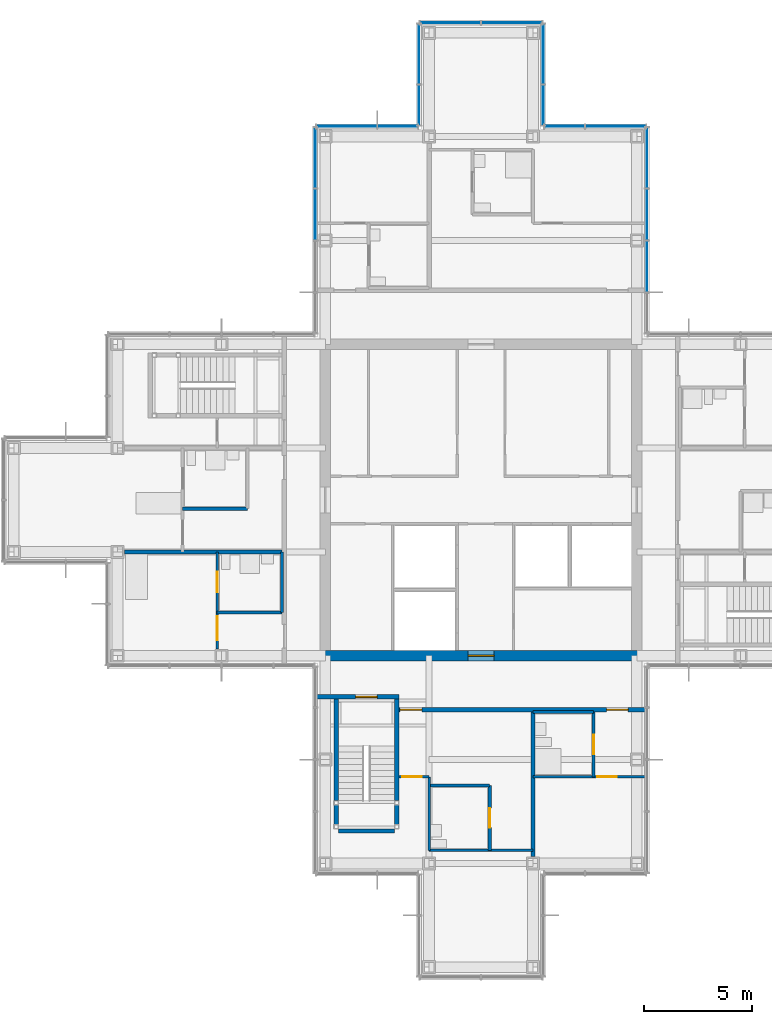
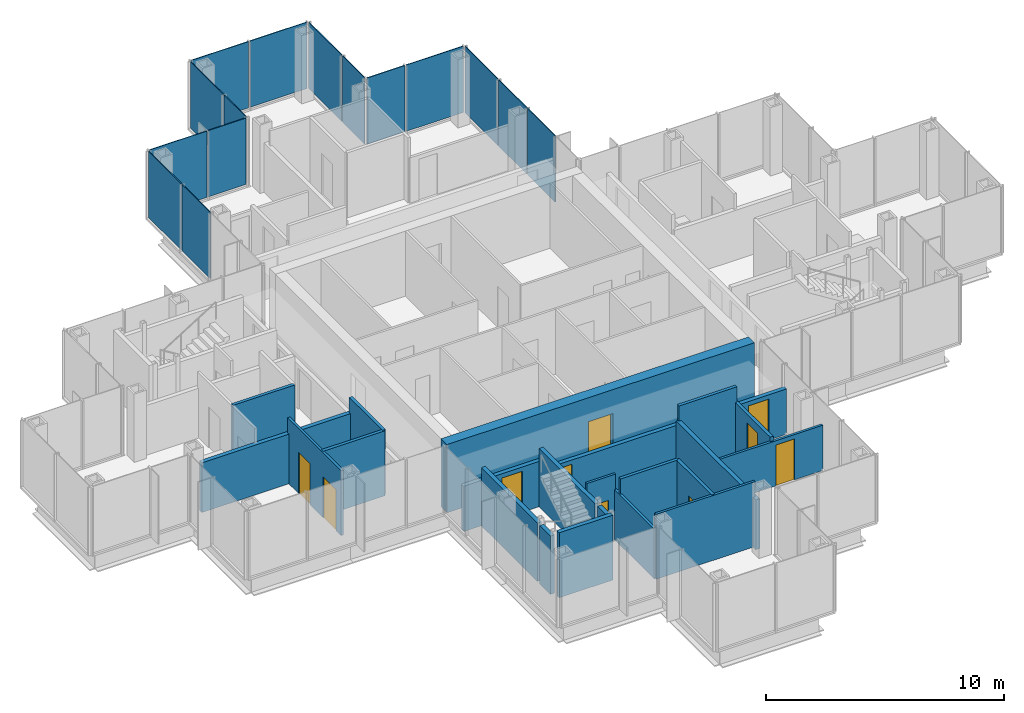
# One storey, part 11 of 17: 22 walls, 15 plates, 10 doors, 10 openings, 7 elements without a shape of their own.
"""IFC4 building model written with IfcOpenShell, lengths in metres."""

from ifc_helpers import new_model, si_unit, direction, frame, frame_2d, origin, origin_2d, place, context, subcontext, project, spatial, rectangle, extrude, material, layer, layer_set, type_object, element, fill, aggregate, save


model = new_model("IFC4")

# Units and contexts
model_context = context("Model", 3, precision=1e-05, world=origin(), true_north=direction((0.0, 1.0)))
body_context = subcontext(model_context, "Body", "Model", "MODEL_VIEW")
ifc_project = project(units=[si_unit("LENGTHUNIT", "METRE"), si_unit("AREAUNIT", "SQUARE_METRE"), si_unit("VOLUMEUNIT", "CUBIC_METRE"), si_unit("PLANEANGLEUNIT", "RADIAN"), si_unit("MASSUNIT", "GRAM", prefix="KILO")], contexts=[model_context])

# Site, building, storey
site_placement = place(None, origin())
site = spatial("IfcSite", under=ifc_project, at=site_placement, CompositionType="ELEMENT")
building_placement = place(site_placement, origin())
building = spatial("IfcBuilding", under=site, at=building_placement, Name="Kvirike Care Tower", CompositionType="ELEMENT")
storey_placement = place(building_placement, frame((0.0, 0.0, 172.5)))
storey = spatial("IfcBuildingStorey", under=building, at=storey_placement, Name="L47", CompositionType="ELEMENT", Elevation=172.5)

# Curtain wall, plates
ifc_material_1 = material(Name="Anodised aluminium stick system", Category="aluminium")
curtain_wall_type = type_object("IfcCurtainWallType", Name="CW-C STICK CURTAIN WALL", PredefinedType="NOTDEFINED", material=ifc_material_1)
curtain_wall_1_placement = place(storey_placement, origin())
curtain_wall_1 = element("IfcCurtainWall", 1, at=curtain_wall_1_placement, inside=storey, type_object=curtain_wall_type, Name="Curtain wall L47 face 8", PredefinedType="NOTDEFINED")
ifc_material_2 = material(Name="Tinted double glazed unit", Category="glass")
ifc_layer_1 = layer(ifc_material_2, 0.0400390625)
ifc_layer_set_1 = layer_set([ifc_layer_1], Name="TINTED VISION PANEL 40")
plate_type = type_object("IfcPlateType", Name="TINTED VISION PANEL 40", PredefinedType="CURTAIN_PANEL", material=ifc_layer_set_1)
plate_1_placement = place(storey_placement, frame((29.27001953125, 46.800048828125, 0.10009765625), z_axis=(0.0, 0.0, 1.0), x_axis=(0.0, 1.0, 0.0)))
plate_1 = element("IfcPlate", 2, at=plate_1_placement, type_object=plate_type, Name="CW-C panel L47 face 8.2", PredefinedType="CURTAIN_PANEL", context=body_context, shape_type="SweptSolid", body=[
    extrude(rectangle(XDim=2.3349609375, YDim=0.0400390625, at=origin_2d()), origin(), (0.0, 0.0, 1.0), 3.39990234375),
])
plate_2_placement = place(storey_placement, frame((29.27001953125, 49.199951171875, 0.10009765625), z_axis=(0.0, 0.0, 1.0), x_axis=(0.0, 1.0, 0.0)))
plate_2 = element("IfcPlate", 3, at=plate_2_placement, type_object=plate_type, Name="CW-C panel L47 face 8.3", PredefinedType="CURTAIN_PANEL", context=body_context, shape_type="SweptSolid", body=[
    extrude(rectangle(XDim=2.3349609375, YDim=0.0400390625, at=origin_2d()), origin(), (0.0, 0.0, 1.0), 3.39990234375),
])
plate_3_placement = place(storey_placement, frame((29.27001953125, 51.81884765625, 0.10009765625), z_axis=(0.0, 0.0, 1.0), x_axis=(0.0, 1.0, 0.0)))
plate_3 = element("IfcPlate", 4, at=plate_3_placement, type_object=plate_type, Name="CW-C panel L47 face 8.4", PredefinedType="CURTAIN_PANEL", context=body_context, shape_type="SweptSolid", body=[
    extrude(rectangle(XDim=2.7724609375, YDim=0.0400390625, at=origin_2d()), origin(), (0.0, 0.0, 1.0), 3.39990234375),
])
aggregate(curtain_wall_1, [plate_1, plate_2, plate_3])

curtain_wall_2_placement = place(storey_placement, origin())
curtain_wall_2 = element("IfcCurtainWall", 5, at=curtain_wall_2_placement, inside=storey, type_object=curtain_wall_type, Name="Curtain wall L47 face 9", PredefinedType="NOTDEFINED")
plate_4_placement = place(storey_placement, frame((27.81884765625, 53.27001953125, 0.10009765625), z_axis=(0.0, 0.0, 1.0), x_axis=(-1.0, 0.0, 0.0)))
plate_4 = element("IfcPlate", 6, at=plate_4_placement, type_object=plate_type, Name="CW-C panel L47 face 9.1", PredefinedType="CURTAIN_PANEL", context=body_context, shape_type="SweptSolid", body=[
    extrude(rectangle(XDim=2.7724609375, YDim=0.0400390625, at=origin_2d()), origin(), (0.0, 0.0, 1.0), 3.39990234375),
])
plate_5_placement = place(storey_placement, frame((25.451171875, 53.27001953125, 0.10009765625), z_axis=(0.0, 0.0, 1.0), x_axis=(-1.0, 0.0, 0.0)))
plate_5 = element("IfcPlate", 7, at=plate_5_placement, type_object=plate_type, Name="CW-C panel L47 face 9.2", PredefinedType="CURTAIN_PANEL", context=body_context, shape_type="SweptSolid", body=[
    extrude(rectangle(XDim=1.83251953125, YDim=0.0400390625, at=origin_2d()), origin(), (0.0, 0.0, 1.0), 3.39990234375),
])
aggregate(curtain_wall_2, [plate_4, plate_5])

curtain_wall_3_placement = place(storey_placement, origin())
curtain_wall_3 = element("IfcCurtainWall", 8, at=curtain_wall_3_placement, inside=storey, type_object=curtain_wall_type, Name="Curtain wall L47 face 10", PredefinedType="NOTDEFINED")
plate_6_placement = place(storey_placement, frame((24.469970703125, 54.251220703125, 0.10009765625), z_axis=(0.0, 0.0, 1.0), x_axis=(0.0, 1.0, 0.0)))
plate_6 = element("IfcPlate", 9, at=plate_6_placement, type_object=plate_type, Name="CW-C panel L47 face 10.1", PredefinedType="CURTAIN_PANEL", context=body_context, shape_type="SweptSolid", body=[
    extrude(rectangle(XDim=1.83251953125, YDim=0.0400390625, at=origin_2d()), origin(), (0.0, 0.0, 1.0), 3.39990234375),
])
plate_7_placement = place(storey_placement, frame((24.469970703125, 56.61865234375, 0.10009765625), z_axis=(0.0, 0.0, 1.0), x_axis=(0.0, 1.0, 0.0)))
plate_7 = element("IfcPlate", 10, at=plate_7_placement, type_object=plate_type, Name="CW-C panel L47 face 10.2", PredefinedType="CURTAIN_PANEL", context=body_context, shape_type="SweptSolid", body=[
    extrude(rectangle(XDim=2.7724609375, YDim=0.0400390625, at=origin_2d()), origin(), (0.0, 0.0, 1.0), 3.39990234375),
])
aggregate(curtain_wall_3, [plate_6, plate_7])

curtain_wall_4_placement = place(storey_placement, origin())
curtain_wall_4 = element("IfcCurtainWall", 11, at=curtain_wall_4_placement, inside=storey, type_object=curtain_wall_type, Name="Curtain wall L47 face 11", PredefinedType="NOTDEFINED")
plate_8_placement = place(storey_placement, frame((23.018798828125, 58.070068359375, 0.10009765625), z_axis=(0.0, 0.0, 1.0), x_axis=(-1.0, 0.0, 0.0)))
plate_8 = element("IfcPlate", 12, at=plate_8_placement, type_object=plate_type, Name="CW-C panel L47 face 11.1", PredefinedType="CURTAIN_PANEL", context=body_context, shape_type="SweptSolid", body=[
    extrude(rectangle(XDim=2.7724609375, YDim=0.0400390625, at=origin_2d()), origin(), (0.0, 0.0, 1.0), 3.39990234375),
])
plate_9_placement = place(storey_placement, frame((20.18115234375, 58.070068359375, 0.10009765625), z_axis=(0.0, 0.0, 1.0), x_axis=(-1.0, 0.0, 0.0)))
plate_9 = element("IfcPlate", 13, at=plate_9_placement, type_object=plate_type, Name="CW-C panel L47 face 11.2", PredefinedType="CURTAIN_PANEL", context=body_context, shape_type="SweptSolid", body=[
    extrude(rectangle(XDim=2.7724609375, YDim=0.0400390625, at=origin_2d()), origin(), (0.0, 0.0, 1.0), 3.39990234375),
])
aggregate(curtain_wall_4, [plate_8, plate_9])

curtain_wall_5_placement = place(storey_placement, origin())
curtain_wall_5 = element("IfcCurtainWall", 14, at=curtain_wall_5_placement, inside=storey, type_object=curtain_wall_type, Name="Curtain wall L47 face 12", PredefinedType="NOTDEFINED")
plate_10_placement = place(storey_placement, frame((18.72998046875, 56.61865234375, 0.10009765625), z_axis=(0.0, 0.0, 1.0), x_axis=(0.0, -1.0, 0.0)))
plate_10 = element("IfcPlate", 15, at=plate_10_placement, type_object=plate_type, Name="CW-C panel L47 face 12.1", PredefinedType="CURTAIN_PANEL", context=body_context, shape_type="SweptSolid", body=[
    extrude(rectangle(XDim=2.7724609375, YDim=0.0400390625, at=origin_2d()), origin(), (0.0, 0.0, 1.0), 3.39990234375),
])
plate_11_placement = place(storey_placement, frame((18.72998046875, 54.251220703125, 0.10009765625), z_axis=(0.0, 0.0, 1.0), x_axis=(0.0, -1.0, 0.0)))
plate_11 = element("IfcPlate", 16, at=plate_11_placement, type_object=plate_type, Name="CW-C panel L47 face 12.2", PredefinedType="CURTAIN_PANEL", context=body_context, shape_type="SweptSolid", body=[
    extrude(rectangle(XDim=1.83251953125, YDim=0.0400390625, at=origin_2d()), origin(), (0.0, 0.0, 1.0), 3.39990234375),
])
aggregate(curtain_wall_5, [plate_10, plate_11])

curtain_wall_6_placement = place(storey_placement, origin())
curtain_wall_6 = element("IfcCurtainWall", 17, at=curtain_wall_6_placement, inside=storey, type_object=curtain_wall_type, Name="Curtain wall L47 face 13", PredefinedType="NOTDEFINED")
plate_12_placement = place(storey_placement, frame((17.748779296875, 53.27001953125, 0.10009765625), z_axis=(0.0, 0.0, 1.0), x_axis=(-1.0, 0.0, 0.0)))
plate_12 = element("IfcPlate", 18, at=plate_12_placement, type_object=plate_type, Name="CW-C panel L47 face 13.1", PredefinedType="CURTAIN_PANEL", context=body_context, shape_type="SweptSolid", body=[
    extrude(rectangle(XDim=1.83251953125, YDim=0.0400390625, at=origin_2d()), origin(), (0.0, 0.0, 1.0), 3.39990234375),
])
plate_13_placement = place(storey_placement, frame((15.38134765625, 53.27001953125, 0.10009765625), z_axis=(0.0, 0.0, 1.0), x_axis=(-1.0, 0.0, 0.0)))
plate_13 = element("IfcPlate", 19, at=plate_13_placement, type_object=plate_type, Name="CW-C panel L47 face 13.2", PredefinedType="CURTAIN_PANEL", context=body_context, shape_type="SweptSolid", body=[
    extrude(rectangle(XDim=2.7724609375, YDim=0.0400390625, at=origin_2d()), origin(), (0.0, 0.0, 1.0), 3.39990234375),
])
aggregate(curtain_wall_6, [plate_12, plate_13])

curtain_wall_7_placement = place(storey_placement, origin())
curtain_wall_7 = element("IfcCurtainWall", 20, at=curtain_wall_7_placement, inside=storey, type_object=curtain_wall_type, Name="Curtain wall L47 face 14", PredefinedType="NOTDEFINED")
plate_14_placement = place(storey_placement, frame((13.929931640625, 51.81884765625, 0.10009765625), z_axis=(0.0, 0.0, 1.0), x_axis=(0.0, -1.0, 0.0)))
plate_14 = element("IfcPlate", 21, at=plate_14_placement, type_object=plate_type, Name="CW-C panel L47 face 14.1", PredefinedType="CURTAIN_PANEL", context=body_context, shape_type="SweptSolid", body=[
    extrude(rectangle(XDim=2.7724609375, YDim=0.0400390625, at=origin_2d()), origin(), (0.0, 0.0, 1.0), 3.39990234375),
])
plate_15_placement = place(storey_placement, frame((13.929931640625, 49.199951171875, 0.10009765625), z_axis=(0.0, 0.0, 1.0), x_axis=(0.0, -1.0, 0.0)))
plate_15 = element("IfcPlate", 22, at=plate_15_placement, type_object=plate_type, Name="CW-C panel L47 face 14.2", PredefinedType="CURTAIN_PANEL", context=body_context, shape_type="SweptSolid", body=[
    extrude(rectangle(XDim=2.3349609375, YDim=0.0400390625, at=origin_2d()), origin(), (0.0, 0.0, 1.0), 3.39990234375),
])
aggregate(curtain_wall_7, [plate_14, plate_15])

# Walls
ifc_material_3 = material(Name="Moisture-resistant board partition", Category="gypsum")
ifc_layer_2 = layer(ifc_material_3, 0.14990234375)
ifc_layer_set_2 = layer_set([ifc_layer_2], Name="BATHROOM WALL 150")
wall_type_1 = type_object("IfcWallType", Name="BATHROOM WALL 150", PredefinedType="PARTITIONING", material=ifc_layer_set_2)
for number, where, z_axis, x_axis, name in (
    (23, (7.800048828125, 35.60009765625, 0.0), (0.0, 0.0, 1.0), (1.0, 0.0, 0.0), "Bathroom Wall 150 L47"),
    (24, (9.39990234375, 30.800048828125, 0.0), (0.0, 0.0, 1.0), (1.0, 0.0, 0.0), "Bathroom Wall 150 L47"),
):
    element("IfcWall", number, at=place(storey_placement, frame(where, z_axis=z_axis, x_axis=x_axis)), inside=storey, type_object=wall_type_1, Name=name, PredefinedType="PARTITIONING", context=body_context, shape_type="SweptSolid", body=[
        extrude(rectangle(XDim=3.0, YDim=0.14990234375, at=frame_2d((1.5, 0.0))), origin(), (0.0, 0.0, 1.0), 3.330078125),
    ])
wall_1_placement = place(storey_placement, frame((12.39990234375, 33.60009765625, 0.0), z_axis=(0.0, 0.0, 1.0), x_axis=(0.0, -1.0, 0.0)))
element("IfcWall", 25, at=wall_1_placement, inside=storey, type_object=wall_type_1, Name="Bathroom Wall 150 L47", PredefinedType="PARTITIONING", context=body_context, shape_type="SweptSolid", body=[
    extrude(rectangle(XDim=2.800048828125, YDim=0.14990234375, at=frame_2d((1.39990234375, 0.0))), origin(), (0.0, 0.0, 1.0), 3.330078125),
])

# Wall, opening, door
wall_2_placement = place(storey_placement, frame((22.0, 19.800048828125, 0.0), z_axis=(0.0, 0.0, 1.0), x_axis=(0.0, 1.0, 0.0)))
wall_2 = element("IfcWall", 26, at=wall_2_placement, inside=storey, type_object=wall_type_1, Name="Bathroom Wall 150 L47", PredefinedType="PARTITIONING", context=body_context, shape_type="SweptSolid", body=[
    extrude(rectangle(XDim=3.0, YDim=0.14990234375, at=frame_2d((1.5, 0.0))), origin(), (0.0, 0.0, 1.0), 3.330078125),
])
opening_1_placement = place(wall_2_placement, frame((1.050048828125, 0.0, 0.0)))
opening_1 = element("IfcOpeningElement", 27, at=opening_1_placement, cuts=wall_2, Name="Opening 47-011", PredefinedType="OPENING", context=body_context, shape_type="SweptSolid", body=[
    extrude(rectangle(XDim=0.89990234375, YDim=2.10009765625, at=frame_2d((0.449951171875, 1.050048828125))), frame((0.0, 0.08544921875, 0.0), z_axis=(0.0, -1.0, 0.0), x_axis=(1.0, 0.0, 0.0)), (0.0, 0.0, 1.0), 0.1708984375),
])
ifc_material_4 = material(Name="Timber door set", Category="wood")
door_type_1 = type_object("IfcDoorType", Name="BATHROOM DOOR 900", OperationType="SINGLE_SWING_RIGHT", PredefinedType="DOOR", material=ifc_material_4)
door_1_placement = place(opening_1_placement, origin())
door_1 = element("IfcDoor", 28, at=door_1_placement, inside=storey, type_object=door_type_1, Name="Accessible WC door", OperationType="SINGLE_SWING_RIGHT", OverallHeight=2.10009765625, OverallWidth=0.89990234375, PredefinedType="DOOR", context=body_context, shape_type="SweptSolid", body=[
    extrude(rectangle(XDim=0.89990234375, YDim=2.10009765625, at=frame_2d((0.449951171875, 1.050048828125))), frame((0.0, 0.02197265625, 0.0), z_axis=(0.0, -1.0, 0.0), x_axis=(1.0, 0.0, 0.0)), (0.0, 0.0, 1.0), 0.0439453125),
])
fill(opening_1, door_1)

# Wall
wall_3_placement = place(storey_placement, frame((19.199951171875, 22.800048828125, 0.0), z_axis=(0.0, 0.0, 1.0), x_axis=(1.0, 0.0, 0.0)))
element("IfcWall", 29, at=wall_3_placement, inside=storey, type_object=wall_type_1, Name="Bathroom Wall 150 L47", PredefinedType="PARTITIONING", context=body_context, shape_type="SweptSolid", body=[
    extrude(rectangle(XDim=2.800048828125, YDim=0.14990234375, at=frame_2d((1.39990234375, 0.0))), origin(), (0.0, 0.0, 1.0), 3.330078125),
])

# Wall, opening, door
wall_4_placement = place(storey_placement, frame((26.800048828125, 23.199951171875, 0.0), z_axis=(0.0, 0.0, 1.0), x_axis=(0.0, 1.0, 0.0)))
wall_4 = element("IfcWall", 30, at=wall_4_placement, inside=storey, type_object=wall_type_1, Name="Bathroom Wall 150 L47", PredefinedType="PARTITIONING", context=body_context, shape_type="SweptSolid", body=[
    extrude(rectangle(XDim=3.0, YDim=0.14990234375, at=frame_2d((1.5, 0.0))), origin(), (0.0, 0.0, 1.0), 2.550048828125),
])
opening_2_placement = place(wall_4_placement, frame((1.050048828125, 0.0, 0.0)))
opening_2 = element("IfcOpeningElement", 31, at=opening_2_placement, cuts=wall_4, Name="Opening 47-013", PredefinedType="OPENING", context=body_context, shape_type="SweptSolid", body=[
    extrude(rectangle(XDim=0.89990234375, YDim=2.10009765625, at=frame_2d((0.449951171875, 1.050048828125))), frame((0.0, 0.08544921875, 0.0), z_axis=(0.0, -1.0, 0.0), x_axis=(1.0, 0.0, 0.0)), (0.0, 0.0, 1.0), 0.1708984375),
])
door_2_placement = place(opening_2_placement, frame((0.89990234375, 0.0, 0.0), z_axis=(0.0, 0.0, 1.0), x_axis=(-1.0, 0.0, 0.0)))
door_2 = element("IfcDoor", 32, at=door_2_placement, inside=storey, type_object=door_type_1, Name="Assisted bathroom door", OperationType="SINGLE_SWING_LEFT", OverallHeight=2.10009765625, OverallWidth=0.89990234375, PredefinedType="DOOR", context=body_context, shape_type="SweptSolid", body=[
    extrude(rectangle(XDim=0.89990234375, YDim=2.10009765625, at=frame_2d((0.449951171875, 1.050048828125))), frame((0.0, 0.02197265625, 0.0), z_axis=(0.0, -1.0, 0.0), x_axis=(1.0, 0.0, 0.0)), (0.0, 0.0, 1.0), 0.0439453125),
])
fill(opening_2, door_2)

# Wall
wall_5_placement = place(storey_placement, frame((24.0, 26.199951171875, 0.0), z_axis=(0.0, 0.0, 1.0), x_axis=(1.0, 0.0, 0.0)))
element("IfcWall", 33, at=wall_5_placement, inside=storey, type_object=wall_type_1, Name="Bathroom Wall 150 L47", PredefinedType="PARTITIONING", context=body_context, shape_type="SweptSolid", body=[
    extrude(rectangle(XDim=2.800048828125, YDim=0.14990234375, at=frame_2d((1.39990234375, 0.0))), origin(), (0.0, 0.0, 1.0), 3.330078125),
])

# Wall, opening, door
ifc_material_5 = material(Name="Concrete C45/55", Category="concrete")
ifc_layer_3 = layer(ifc_material_5, 0.5)
ifc_layer_set_3 = layer_set([ifc_layer_3], Name="CORE WALL 500 C45-55")
wall_type_2 = type_object("IfcWallType", Name="CORE WALL 500 C45-55", PredefinedType="SHEAR", material=ifc_layer_set_3)
wall_6_placement = place(storey_placement, frame((14.14990234375, 28.800048828125, -0.169921875), z_axis=(0.0, 0.0, 1.0), x_axis=(1.0, 0.0, 0.0)))
wall_6 = element("IfcWall", 34, at=wall_6_placement, inside=storey, type_object=wall_type_2, Name="Core wall S L47", PredefinedType="SHEAR", context=body_context, shape_type="SweptSolid", body=[
    extrude(rectangle(XDim=14.900146484375, YDim=0.5, at=frame_2d((7.4501953125, 0.0))), origin(), (0.0, 0.0, 1.0), 3.5),
])
opening_3_placement = place(wall_6_placement, frame((6.85009765625, 0.0, 0.169921875)))
opening_3 = element("IfcOpeningElement", 35, at=opening_3_placement, cuts=wall_6, Name="Opening 47-045", PredefinedType="OPENING", context=body_context, shape_type="SweptSolid", body=[
    extrude(rectangle(XDim=1.199951171875, YDim=2.10009765625, at=frame_2d((0.60009765625, 1.050048828125))), frame((0.0, 0.260498046875, 0.0), z_axis=(0.0, -1.0, 0.0), x_axis=(1.0, 0.0, 0.0)), (0.0, 0.0, 1.0), 0.52099609375),
])
ifc_material_6 = material(Name="Timber door set", Category="wood")
door_type_2 = type_object("IfcDoorType", Name="CORE DOOR 1200", OperationType="SINGLE_SWING_LEFT", PredefinedType="DOOR", material=ifc_material_6)
door_3_placement = place(opening_3_placement, origin())
door_3 = element("IfcDoor", 36, at=door_3_placement, inside=storey, type_object=door_type_2, Name="Core door S L47", OperationType="SINGLE_SWING_LEFT", OverallHeight=2.10009765625, OverallWidth=1.199951171875, PredefinedType="DOOR", context=body_context, shape_type="SweptSolid", body=[
    extrude(rectangle(XDim=1.199951171875, YDim=2.10009765625, at=frame_2d((0.60009765625, 1.050048828125))), frame((0.0, 0.02685546875, 0.0), z_axis=(0.0, -1.0, 0.0), x_axis=(1.0, 0.0, 0.0)), (0.0, 0.0, 1.0), 0.053955078125),
])
fill(opening_3, door_3)

# Wall, openings, doors
ifc_material_7 = material(Name="Plasterboard corridor wall", Category="gypsum")
ifc_layer_4 = layer(ifc_material_7, 0.199951171875)
ifc_layer_set_4 = layer_set([ifc_layer_4], Name="CORRIDOR WALL 200")
wall_type_3 = type_object("IfcWallType", Name="CORRIDOR WALL 200", PredefinedType="PARTITIONING", material=ifc_layer_set_4)
wall_7_placement = place(storey_placement, frame((17.800048828125, 26.300048828125, 0.0), z_axis=(0.0, 0.0, 1.0), x_axis=(1.0, 0.0, 0.0)))
wall_7 = element("IfcWall", 37, at=wall_7_placement, inside=storey, type_object=wall_type_3, Name="Corridor Wall 200 L47", PredefinedType="PARTITIONING", context=body_context, shape_type="SweptSolid", body=[
    extrude(rectangle(XDim=11.449951171875, YDim=0.199951171875, at=frame_2d((5.72509765625, 0.0))), origin(), (0.0, 0.0, 1.0), 2.320068359375),
])
opening_4_placement = place(wall_7_placement, frame((0.06005859375, 0.0, 0.0)))
opening_4 = element("IfcOpeningElement", 38, at=opening_4_placement, cuts=wall_7, Name="Opening 47-015", PredefinedType="OPENING", context=body_context, shape_type="SweptSolid", body=[
    extrude(rectangle(XDim=1.0, YDim=2.10009765625, at=frame_2d((0.5, 1.050048828125))), frame((0.0, 0.110595703125, 0.0), z_axis=(0.0, -1.0, 0.0), x_axis=(1.0, 0.0, 0.0)), (0.0, 0.0, 1.0), 0.220947265625),
])
opening_5_placement = place(wall_7_placement, frame((9.60009765625, 0.0, 0.0)))
opening_5 = element("IfcOpeningElement", 39, at=opening_5_placement, cuts=wall_7, Name="Opening 47-016", PredefinedType="OPENING", context=body_context, shape_type="SweptSolid", body=[
    extrude(rectangle(XDim=1.0, YDim=2.10009765625, at=frame_2d((0.5, 1.050048828125))), frame((0.0, 0.110595703125, 0.0), z_axis=(0.0, -1.0, 0.0), x_axis=(1.0, 0.0, 0.0)), (0.0, 0.0, 1.0), 0.220947265625),
])
ifc_material_8 = material(Name="Timber door set", Category="wood")
door_type_3 = type_object("IfcDoorType", Name="FLAT ENTRANCE DOOR 1000", OperationType="SINGLE_SWING_LEFT", PredefinedType="DOOR", material=ifc_material_8)
door_4_placement = place(opening_4_placement, frame((1.0, 0.0, 0.0), z_axis=(0.0, 0.0, 1.0), x_axis=(-1.0, 0.0, 0.0)))
door_4 = element("IfcDoor", 40, at=door_4_placement, inside=storey, type_object=door_type_3, Name="Hobby room entrance", OperationType="SINGLE_SWING_LEFT", OverallHeight=2.10009765625, OverallWidth=1.0, PredefinedType="DOOR", context=body_context, shape_type="SweptSolid", body=[
    extrude(rectangle(XDim=1.0, YDim=2.10009765625, at=frame_2d((0.5, 1.050048828125))), frame((0.0, 0.02685546875, 0.0), z_axis=(0.0, -1.0, 0.0), x_axis=(1.0, 0.0, 0.0)), (0.0, 0.0, 1.0), 0.053955078125),
])
fill(opening_4, door_4)
door_5_placement = place(opening_5_placement, frame((1.0, 0.0, 0.0), z_axis=(0.0, 0.0, 1.0), x_axis=(-1.0, 0.0, 0.0)))
door_5 = element("IfcDoor", 41, at=door_5_placement, inside=storey, type_object=door_type_3, Name="Care base entrance", OperationType="SINGLE_SWING_RIGHT", OverallHeight=2.10009765625, OverallWidth=1.0, PredefinedType="DOOR", context=body_context, shape_type="SweptSolid", body=[
    extrude(rectangle(XDim=1.0, YDim=2.10009765625, at=frame_2d((0.5, 1.050048828125))), frame((0.0, 0.02685546875, 0.0), z_axis=(0.0, -1.0, 0.0), x_axis=(1.0, 0.0, 0.0)), (0.0, 0.0, 1.0), 0.053955078125),
])
fill(opening_5, door_5)

ifc_material_9 = material(Name="Plasterboard partition", Category="gypsum")
ifc_layer_5 = layer(ifc_material_9, 0.1201171875)
ifc_layer_set_5 = layer_set([ifc_layer_5], Name="PARTITION 120")
wall_type_4 = type_object("IfcWallType", Name="PARTITION 120", PredefinedType="PARTITIONING", material=ifc_layer_set_5)
wall_8_placement = place(storey_placement, frame((9.39990234375, 33.60009765625, 0.0), z_axis=(0.0, 0.0, 1.0), x_axis=(0.0, -1.0, 0.0)))
wall_8 = element("IfcWall", 42, at=wall_8_placement, inside=storey, type_object=wall_type_4, Name="Partition 120 L47", PredefinedType="PARTITIONING", context=body_context, shape_type="SweptSolid", body=[
    extrude(rectangle(XDim=4.47998046875, YDim=0.1201171875, at=frame_2d((2.239990234375, 0.0))), origin(), (0.0, 0.0, 1.0), 3.330078125),
])
opening_6_placement = place(wall_8_placement, frame((2.97509765625, 0.0, 0.0)))
opening_6 = element("IfcOpeningElement", 43, at=opening_6_placement, cuts=wall_8, Name="Opening 47-004", PredefinedType="OPENING", context=body_context, shape_type="SweptSolid", body=[
    extrude(rectangle(XDim=1.10009765625, YDim=2.10009765625, at=frame_2d((0.550048828125, 1.050048828125))), frame((0.0, 0.070556640625, 0.0), z_axis=(0.0, -1.0, 0.0), x_axis=(1.0, 0.0, 0.0)), (0.0, 0.0, 1.0), 0.14111328125),
])
opening_7_placement = place(wall_8_placement, frame((0.925048828125, 0.0, 0.0)))
opening_7 = element("IfcOpeningElement", 44, at=opening_7_placement, cuts=wall_8, Name="Opening 47-005", PredefinedType="OPENING", context=body_context, shape_type="SweptSolid", body=[
    extrude(rectangle(XDim=0.949951171875, YDim=2.10009765625, at=frame_2d((0.47509765625, 1.050048828125))), frame((0.0, 0.070556640625, 0.0), z_axis=(0.0, -1.0, 0.0), x_axis=(1.0, 0.0, 0.0)), (0.0, 0.0, 1.0), 0.14111328125),
])
ifc_material_10 = material(Name="Timber door set", Category="wood")
door_type_4 = type_object("IfcDoorType", Name="BEDROOM DOOR 1100", OperationType="SINGLE_SWING_LEFT", PredefinedType="DOOR", material=ifc_material_10)
door_6_placement = place(opening_6_placement, origin())
door_6 = element("IfcDoor", 45, at=door_6_placement, inside=storey, type_object=door_type_4, Name="Memory care bedroom door", OperationType="SINGLE_SWING_RIGHT", OverallHeight=2.10009765625, OverallWidth=1.10009765625, PredefinedType="DOOR", context=body_context, shape_type="SweptSolid", body=[
    extrude(rectangle(XDim=1.10009765625, YDim=2.10009765625, at=frame_2d((0.550048828125, 1.050048828125))), frame((0.0, 0.02197265625, 0.0), z_axis=(0.0, -1.0, 0.0), x_axis=(1.0, 0.0, 0.0)), (0.0, 0.0, 1.0), 0.0439453125),
])
fill(opening_6, door_6)
ifc_material_11 = material(Name="Timber door set", Category="wood")
door_type_5 = type_object("IfcDoorType", Name="EN-SUITE SLIDING DOOR 950", OperationType="SLIDING_TO_LEFT", PredefinedType="DOOR", material=ifc_material_11)
door_7_placement = place(opening_7_placement, origin())
door_7 = element("IfcDoor", 46, at=door_7_placement, inside=storey, type_object=door_type_5, Name="En-suite door", OperationType="SLIDING_TO_LEFT", OverallHeight=2.10009765625, OverallWidth=0.949951171875, PredefinedType="DOOR", context=body_context, shape_type="SweptSolid", body=[
    extrude(rectangle(XDim=0.949951171875, YDim=2.10009765625, at=frame_2d((0.47509765625, 1.050048828125))), frame((0.0, 0.02197265625, 0.0), z_axis=(0.0, -1.0, 0.0), x_axis=(1.0, 0.0, 0.0)), (0.0, 0.0, 1.0), 0.0439453125),
])
fill(opening_7, door_7)

# Wall, opening, door
wall_9_placement = place(storey_placement, frame((17.800048828125, 23.199951171875, 0.0), z_axis=(0.0, 0.0, 1.0), x_axis=(1.0, 0.0, 0.0)))
wall_9 = element("IfcWall", 47, at=wall_9_placement, inside=storey, type_object=wall_type_4, Name="Partition 120 L47", PredefinedType="PARTITIONING", context=body_context, shape_type="SweptSolid", body=[
    extrude(rectangle(XDim=1.39990234375, YDim=0.1201171875, at=frame_2d((0.699951171875, 0.0))), origin(), (0.0, 0.0, 1.0), 3.330078125),
])
opening_8_placement = place(wall_9_placement, frame((0.14990234375, 0.0, 0.0)))
opening_8 = element("IfcOpeningElement", 48, at=opening_8_placement, cuts=wall_9, Name="Opening 47-012", PredefinedType="OPENING", context=body_context, shape_type="SweptSolid", body=[
    extrude(rectangle(XDim=0.89990234375, YDim=2.10009765625, at=frame_2d((0.449951171875, 1.050048828125))), frame((0.0, 0.070556640625, 0.0), z_axis=(0.0, -1.0, 0.0), x_axis=(1.0, 0.0, 0.0)), (0.0, 0.0, 1.0), 0.14111328125),
])
ifc_material_12 = material(Name="Timber door set", Category="wood")
door_type_6 = type_object("IfcDoorType", Name="INTERNAL DOOR 900", OperationType="SINGLE_SWING_LEFT", PredefinedType="DOOR", material=ifc_material_12)
door_8_placement = place(opening_8_placement, origin())
door_8 = element("IfcDoor", 49, at=door_8_placement, inside=storey, type_object=door_type_6, Name="Hobby room door", OperationType="SINGLE_SWING_RIGHT", OverallHeight=2.10009765625, OverallWidth=0.89990234375, PredefinedType="DOOR", context=body_context, shape_type="SweptSolid", body=[
    extrude(rectangle(XDim=0.89990234375, YDim=2.10009765625, at=frame_2d((0.449951171875, 1.050048828125))), frame((0.0, 0.02197265625, 0.0), z_axis=(0.0, -1.0, 0.0), x_axis=(1.0, 0.0, 0.0)), (0.0, 0.0, 1.0), 0.0439453125),
])
fill(opening_8, door_8)

# Walls
wall_10_placement = place(storey_placement, frame((19.199951171875, 19.800048828125, 0.0), z_axis=(0.0, 0.0, 1.0), x_axis=(1.0, 0.0, 0.0)))
element("IfcWall", 50, at=wall_10_placement, inside=storey, type_object=wall_type_4, Name="Partition 120 L47", PredefinedType="PARTITIONING", context=body_context, shape_type="SweptSolid", body=[
    extrude(rectangle(XDim=4.800048828125, YDim=0.1201171875, at=frame_2d((2.39990234375, 0.0))), origin(), (0.0, 0.0, 1.0), 3.330078125),
])
wall_11_placement = place(storey_placement, frame((19.199951171875, 19.800048828125, 0.0), z_axis=(0.0, 0.0, 1.0), x_axis=(0.0, 1.0, 0.0)))
element("IfcWall", 51, at=wall_11_placement, inside=storey, type_object=wall_type_4, Name="Partition 120 L47", PredefinedType="PARTITIONING", context=body_context, shape_type="SweptSolid", body=[
    extrude(rectangle(XDim=3.39990234375, YDim=0.1201171875, at=frame_2d((1.699951171875, 0.0))), origin(), (0.0, 0.0, 1.0), 2.550048828125),
])

# Wall, opening, door
wall_12_placement = place(storey_placement, frame((24.0, 23.199951171875, 0.0), z_axis=(0.0, 0.0, 1.0), x_axis=(1.0, 0.0, 0.0)))
wall_12 = element("IfcWall", 52, at=wall_12_placement, inside=storey, type_object=wall_type_4, Name="Partition 120 L47", PredefinedType="PARTITIONING", context=body_context, shape_type="SweptSolid", body=[
    extrude(rectangle(XDim=5.25, YDim=0.1201171875, at=frame_2d((2.625, 0.0))), origin(), (0.0, 0.0, 1.0), 2.320068359375),
])
opening_9_placement = place(wall_12_placement, frame((2.97509765625, 0.0, 0.0)))
opening_9 = element("IfcOpeningElement", 53, at=opening_9_placement, cuts=wall_12, Name="Opening 47-014", PredefinedType="OPENING", context=body_context, shape_type="SweptSolid", body=[
    extrude(rectangle(XDim=0.89990234375, YDim=2.10009765625, at=frame_2d((0.449951171875, 1.050048828125))), frame((0.0, 0.070556640625, 0.0), z_axis=(0.0, -1.0, 0.0), x_axis=(1.0, 0.0, 0.0)), (0.0, 0.0, 1.0), 0.14111328125),
])
door_9_placement = place(opening_9_placement, origin())
door_9 = element("IfcDoor", 54, at=door_9_placement, inside=storey, type_object=door_type_6, Name="Quiet room door", OperationType="SINGLE_SWING_RIGHT", OverallHeight=2.10009765625, OverallWidth=0.89990234375, PredefinedType="DOOR", context=body_context, shape_type="SweptSolid", body=[
    extrude(rectangle(XDim=0.89990234375, YDim=2.10009765625, at=frame_2d((0.449951171875, 1.050048828125))), frame((0.0, 0.02197265625, 0.0), z_axis=(0.0, -1.0, 0.0), x_axis=(1.0, 0.0, 0.0)), (0.0, 0.0, 1.0), 0.0439453125),
])
fill(opening_9, door_9)

# Walls
ifc_material_13 = material(Name="Plasterboard party wall", Category="gypsum")
ifc_layer_6 = layer(ifc_material_13, 0.199951171875)
ifc_layer_set_6 = layer_set([ifc_layer_6], Name="PARTY WALL 200")
wall_type_5 = type_object("IfcWallType", Name="PARTY WALL 200", PredefinedType="PARTITIONING", material=ifc_layer_set_6)
wall_13_placement = place(storey_placement, frame((5.1201171875, 33.60009765625, 0.0), z_axis=(0.0, 0.0, 1.0), x_axis=(1.0, 0.0, 0.0)))
element("IfcWall", 55, at=wall_13_placement, inside=storey, type_object=wall_type_5, Name="Party Wall 200 L47", PredefinedType="PARTITIONING", context=body_context, shape_type="SweptSolid", body=[
    extrude(rectangle(XDim=7.27978515625, YDim=0.199951171875, at=frame_2d((3.639892578125, 0.0))), origin(), (0.0, 0.0, 1.0), 2.550048828125),
])
wall_14_placement = place(storey_placement, frame((24.0, 19.52001953125, 0.0), z_axis=(0.0, 0.0, 1.0), x_axis=(0.0, 1.0, 0.0)))
element("IfcWall", 56, at=wall_14_placement, inside=storey, type_object=wall_type_5, Name="Party Wall 200 L47", PredefinedType="PARTITIONING", context=body_context, shape_type="SweptSolid", body=[
    extrude(rectangle(XDim=6.679931640625, YDim=0.199951171875, at=frame_2d((3.33984375, 0.0))), origin(), (0.0, 0.0, 1.0), 2.550048828125),
])
ifc_material_14 = material(Name="Concrete C40/50", Category="concrete")
ifc_layer_7 = layer(ifc_material_14, 0.199951171875)
ifc_layer_set_7 = layer_set([ifc_layer_7], Name="STAIR WALL 200")
wall_type_6 = type_object("IfcWallType", Name="STAIR WALL 200", PredefinedType="SOLIDWALL", material=ifc_layer_set_7)
wall_15_placement = place(storey_placement, frame((14.89990234375, 21.0, 0.0), z_axis=(0.0, 0.0, 1.0), x_axis=(0.0, 1.0, 0.0)))
element("IfcWall", 57, at=wall_15_placement, inside=storey, type_object=wall_type_6, Name="Stair Wall 200 L47", PredefinedType="SOLIDWALL", context=body_context, shape_type="SweptSolid", body=[
    extrude(rectangle(XDim=0.89990234375, YDim=0.199951171875, at=frame_2d((0.449951171875, 0.0))), origin(), (0.0, 0.0, 1.0), 2.989990234375),
])
wall_16_placement = place(storey_placement, frame((14.89990234375, 22.10009765625, 0.0), z_axis=(0.0, 0.0, 1.0), x_axis=(0.0, 1.0, 0.0)))
element("IfcWall", 58, at=wall_16_placement, inside=storey, type_object=wall_type_6, Name="Stair Wall 200 L47", PredefinedType="SOLIDWALL", context=body_context, shape_type="SweptSolid", body=[
    extrude(rectangle(XDim=4.699951171875, YDim=0.199951171875, at=frame_2d((2.35009765625, 0.0))), origin(), (0.0, 0.0, 1.0), 2.989990234375),
])
wall_17_placement = place(storey_placement, frame((17.699951171875, 21.0, 0.0), z_axis=(0.0, 0.0, 1.0), x_axis=(0.0, 1.0, 0.0)))
element("IfcWall", 59, at=wall_17_placement, inside=storey, type_object=wall_type_6, Name="Stair Wall 200 L47", PredefinedType="SOLIDWALL", context=body_context, shape_type="SweptSolid", body=[
    extrude(rectangle(XDim=0.89990234375, YDim=0.199951171875, at=frame_2d((0.449951171875, 0.0))), origin(), (0.0, 0.0, 1.0), 2.989990234375),
])
wall_18_placement = place(storey_placement, frame((17.699951171875, 22.10009765625, 0.0), z_axis=(0.0, 0.0, 1.0), x_axis=(0.0, 1.0, 0.0)))
element("IfcWall", 60, at=wall_18_placement, inside=storey, type_object=wall_type_6, Name="Stair Wall 200 L47", PredefinedType="SOLIDWALL", context=body_context, shape_type="SweptSolid", body=[
    extrude(rectangle(XDim=4.699951171875, YDim=0.199951171875, at=frame_2d((2.35009765625, 0.0))), origin(), (0.0, 0.0, 1.0), 2.989990234375),
])
wall_19_placement = place(storey_placement, frame((15.0, 20.699951171875, 0.0), z_axis=(0.0, 0.0, 1.0), x_axis=(1.0, 0.0, 0.0)))
element("IfcWall", 61, at=wall_19_placement, inside=storey, type_object=wall_type_6, Name="Stair Wall 200 L47", PredefinedType="SOLIDWALL", context=body_context, shape_type="SweptSolid", body=[
    extrude(rectangle(XDim=2.60009765625, YDim=0.199951171875, at=frame_2d((1.300048828125, 0.0))), origin(), (0.0, 0.0, 1.0), 3.330078125),
])

# Wall, opening, door
wall_20_placement = place(storey_placement, frame((13.949951171875, 26.89990234375, 0.0), z_axis=(0.0, 0.0, 1.0), x_axis=(1.0, 0.0, 0.0)))
wall_20 = element("IfcWall", 62, at=wall_20_placement, inside=storey, type_object=wall_type_6, Name="Stair Wall 200 L47", PredefinedType="SOLIDWALL", context=body_context, shape_type="SweptSolid", body=[
    extrude(rectangle(XDim=3.85009765625, YDim=0.199951171875, at=frame_2d((1.925048828125, 0.0))), origin(), (0.0, 0.0, 1.0), 2.320068359375),
])
opening_10_placement = place(wall_20_placement, frame((1.85009765625, 0.0, 0.0)))
opening_10 = element("IfcOpeningElement", 63, at=opening_10_placement, cuts=wall_20, Name="Opening 47-010", PredefinedType="OPENING", context=body_context, shape_type="SweptSolid", body=[
    extrude(rectangle(XDim=1.0, YDim=2.10009765625, at=frame_2d((0.5, 1.050048828125))), frame((0.0, 0.110595703125, 0.0), z_axis=(0.0, -1.0, 0.0), x_axis=(1.0, 0.0, 0.0)), (0.0, 0.0, 1.0), 0.220947265625),
])
ifc_material_15 = material(Name="Timber door set", Category="wood")
door_type_7 = type_object("IfcDoorType", Name="STAIR DOOR 1000", OperationType="SINGLE_SWING_LEFT", PredefinedType="DOOR", material=ifc_material_15)
door_10_placement = place(opening_10_placement, frame((1.0, 0.0, 0.0), z_axis=(0.0, 0.0, 1.0), x_axis=(-1.0, 0.0, 0.0)))
door_10 = element("IfcDoor", 64, at=door_10_placement, inside=storey, type_object=door_type_7, Name="Stair 5 door", OperationType="SINGLE_SWING_LEFT", OverallHeight=2.10009765625, OverallWidth=1.0, PredefinedType="DOOR", context=body_context, shape_type="SweptSolid", body=[
    extrude(rectangle(XDim=1.0, YDim=2.10009765625, at=frame_2d((0.5, 1.050048828125))), frame((0.0, 0.031982421875, 0.0), z_axis=(0.0, -1.0, 0.0), x_axis=(1.0, 0.0, 0.0)), (0.0, 0.0, 1.0), 0.06396484375),
])
fill(opening_10, door_10)

save(model, "model.ifc")
